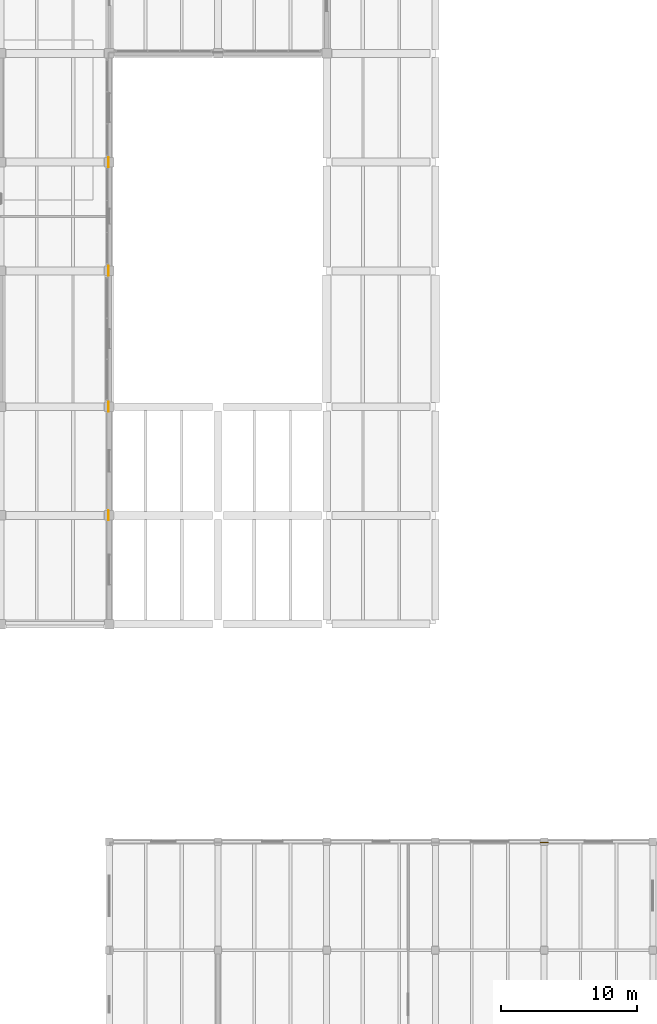
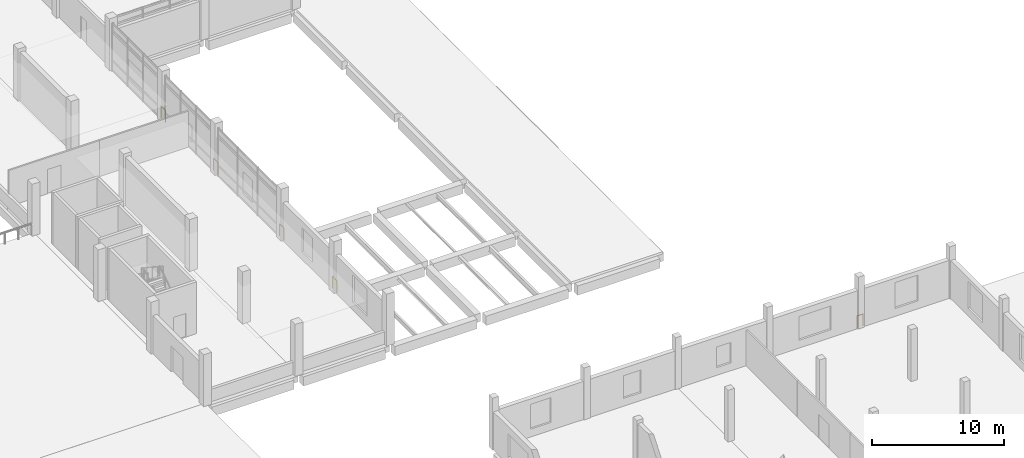
# One storey, part 51 of 52: 5 railings.
"""IFC4 building model written with IfcOpenShell, lengths in metres."""

from ifc_helpers import new_model, si_unit, direction, frame, origin, origin_2d, place, context, subcontext, project, spatial, circle, extrude, material, type_object, element, save


model = new_model("IFC4")

# Units and contexts
model_context = context("Model", 3, precision=1e-05, world=origin(), true_north=direction((0.0, 1.0)))
body_context = subcontext(model_context, "Body", "Model", "MODEL_VIEW")
ifc_project = project(units=[si_unit("LENGTHUNIT", "METRE"), si_unit("AREAUNIT", "SQUARE_METRE"), si_unit("VOLUMEUNIT", "CUBIC_METRE"), si_unit("PLANEANGLEUNIT", "RADIAN"), si_unit("MASSUNIT", "GRAM", prefix="KILO")], contexts=[model_context])

# Site, building, storey
site_placement = place(None, origin())
site = spatial("IfcSite", under=ifc_project, at=site_placement, CompositionType="ELEMENT")
building_placement = place(site_placement, origin())
building = spatial("IfcBuilding", under=site, at=building_placement, Name="Pecanmere Concourse Central Library", CompositionType="ELEMENT")
storey_placement = place(building_placement, frame((0.0, 0.0, 10.5)))
storey = spatial("IfcBuildingStorey", under=building, at=storey_placement, Name="L03", CompositionType="ELEMENT", Elevation=10.5)

# Railings
ifc_material = material(Name="Architectural anodized bronze")
railing_type = type_object("IfcRailingType", Name="RAIL_ATRIUM_BAL", PredefinedType="BALUSTRADE", material=ifc_material)
railing_placement = place(storey_placement, frame((159.72998046875, 31.929931640625, 0.0)))
element("IfcRailing", 1, at=railing_placement, inside=storey, type_object=railing_type, Name="Deck Edge Protective Balustrade L03-108", PredefinedType="BALUSTRADE", context=body_context, shape_type="SweptSolid", body=[
    extrude(circle(Radius=0.02392578125, at=origin_2d()), frame((0.0, 0.0, 1.09619140625), z_axis=(1.0, 0.0, 0.0), x_axis=(0.0, 1.0, 0.0)), (0.0, 0.0, 1.0), 0.5400390625),
    extrude(circle(Radius=0.02099609375, at=origin_2d()), origin(), (0.0, 0.0, 1.0), 1.072021484375),
    extrude(circle(Radius=0.02099609375, at=origin_2d()), frame((0.5400390625, 0.0, 0.0)), (0.0, 0.0, 1.0), 1.072021484375),
])
for number, where, name in (
    (2, (127.929931640625, 82.344970703125, 0.0), "Deck Edge Protective Balustrade L03-123"),
    (3, (127.929931640625, 74.344970703125, 0.0), "Deck Edge Protective Balustrade L03-124"),
    (4, (127.929931640625, 64.344970703125, 0.0), "Deck Edge Protective Balustrade L03-125"),
    (5, (127.929931640625, 56.344970703125, 0.0), "Deck Edge Protective Balustrade L03-126"),
):
    element("IfcRailing", number, at=place(storey_placement, frame(where)), inside=storey, type_object=railing_type, Name=name, PredefinedType="BALUSTRADE", context=body_context, shape_type="SweptSolid", body=[
        extrude(circle(Radius=0.02392578125, at=origin_2d()), frame((0.0, 0.0, 1.09619140625), z_axis=(0.0, -1.0, 0.0), x_axis=(1.0, 0.0, 0.0)), (0.0, 0.0, 1.0), 0.68994140625),
        extrude(circle(Radius=0.02099609375, at=origin_2d()), origin(), (0.0, 0.0, 1.0), 1.072021484375),
        extrude(circle(Radius=0.02099609375, at=origin_2d()), frame((0.0, -0.68994140625, 0.0)), (0.0, 0.0, 1.0), 1.072021484375),
    ])

save(model, "model.ifc")
